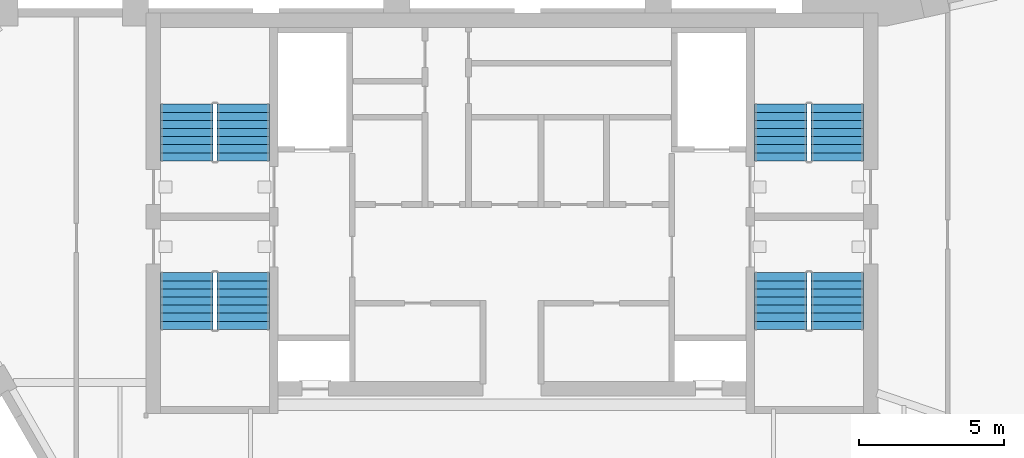
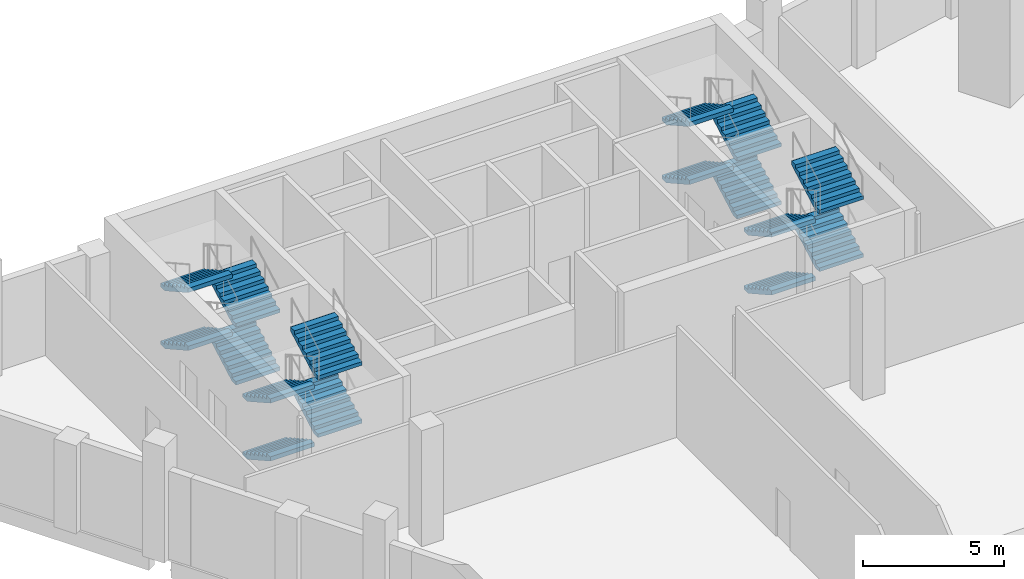
# One storey, part 7 of 9: 16 stair flights, 4 elements without a shape of their own.
"""IFC4 building model written with IfcOpenShell, lengths in metres."""

from ifc_helpers import new_model, si_unit, direction, frame, origin, place, context, subcontext, project, spatial, faceted_brep, source, transform, mapped, material, type_object, element, aggregate, save


model = new_model("IFC4")

# Units and contexts
model_context = context("Model", 3, precision=1e-05, world=origin(), true_north=direction((0.0, 1.0)))
body_context = subcontext(model_context, "Body", "Model", "MODEL_VIEW")
ifc_project = project(units=[si_unit("LENGTHUNIT", "METRE"), si_unit("AREAUNIT", "SQUARE_METRE"), si_unit("VOLUMEUNIT", "CUBIC_METRE"), si_unit("PLANEANGLEUNIT", "RADIAN"), si_unit("MASSUNIT", "GRAM", prefix="KILO")], contexts=[model_context])

# Site, building, storey
site_placement = place(None, origin())
site = spatial("IfcSite", under=ifc_project, at=site_placement, CompositionType="ELEMENT")
building_placement = place(site_placement, origin())
building = spatial("IfcBuilding", under=site, at=building_placement, Name="Calabash Gate Tower", CompositionType="ELEMENT")
storey_placement = place(building_placement, frame((0.0, 0.0, 320.5)))
storey = spatial("IfcBuildingStorey", under=building, at=storey_placement, Name="L75", CompositionType="ELEMENT", Elevation=320.5)

# Stair, stair flights
ifc_material_1 = material(Name="Concrete C40/50", Category="concrete")
stair_type = type_object("IfcStairType", Name="Exit stair 32 risers of 156.2 mm", PredefinedType="HALF_TURN_STAIR", material=ifc_material_1)
stair_1_placement = place(storey_placement, origin())
stair_1 = element("IfcStair", 1, at=stair_1_placement, inside=storey, type_object=stair_type, Name="L75 Exit stair ST1", PredefinedType="HALF_TURN_STAIR")
ifc_material_2 = material(Name="Concrete C40/50", Category="concrete")
stair_flight_type = type_object("IfcStairFlightType", Name="Exit stair flight SFL", PredefinedType="STRAIGHT", material=ifc_material_2)
shared_shape = source(origin(), body_context, "Body", "Brep", [
    faceted_brep([(-0.0009765625, -0.89990234375, 0.0), (0.306884765625, -0.89990234375, 0.0), (1.9541015625, -0.89990234375, 0.921875), (-0.0009765625, 0.89990234375, 0.0), (1.9541015625, 0.89990234375, 0.921875), (0.306884765625, 0.89990234375, 0.0), (1.9541015625, -0.89990234375, 1.105712890625), (1.952880859375, -0.89990234375, 1.105712890625), (1.952880859375, 0.89990234375, 1.105712890625), (1.9541015625, 0.89990234375, 1.105712890625), (1.952880859375, -0.89990234375, 1.09375), (1.952880859375, 0.89990234375, 1.09375), (1.674072265625, -0.89990234375, 1.09375), (1.674072265625, 0.89990234375, 1.09375), (1.674072265625, -0.89990234375, 0.9375), (1.674072265625, 0.89990234375, 0.9375), (1.39501953125, -0.89990234375, 0.9375), (1.39501953125, 0.89990234375, 0.9375), (1.39501953125, -0.89990234375, 0.78125), (1.39501953125, 0.89990234375, 0.78125), (1.115966796875, -0.89990234375, 0.78125), (1.115966796875, -0.89990234375, 0.625), (1.115966796875, 0.89990234375, 0.625), (1.115966796875, 0.89990234375, 0.78125), (0.8369140625, -0.89990234375, 0.625), (0.8369140625, -0.89990234375, 0.46875), (0.8369140625, 0.89990234375, 0.46875), (0.8369140625, 0.89990234375, 0.625), (0.55810546875, -0.89990234375, 0.46875), (0.55810546875, -0.89990234375, 0.3125), (0.55810546875, 0.89990234375, 0.3125), (0.55810546875, 0.89990234375, 0.46875), (0.279052734375, -0.89990234375, 0.3125), (0.279052734375, -0.89990234375, 0.15625), (0.279052734375, 0.89990234375, 0.15625), (0.279052734375, 0.89990234375, 0.3125), (-0.0009765625, -0.89990234375, 0.15625), (-0.0009765625, 0.89990234375, 0.15625), (0.306884765625, -0.360107421875, 0.0), (1.9541015625, -0.360107421875, 0.921875), (0.306884765625, -0.27001953125, 0.0), (1.9541015625, -0.27001953125, 0.921875), (0.306884765625, -0.179931640625, 0.0), (1.9541015625, -0.179931640625, 0.921875), (0.306884765625, -0.090087890625, 0.0), (1.9541015625, -0.090087890625, 0.921875), (0.306884765625, 0.0, 0.0), (1.9541015625, 0.0, 0.921875), (0.306884765625, 0.090087890625, 0.0), (1.9541015625, 0.090087890625, 0.921875), (0.306884765625, 0.179931640625, 0.0), (1.9541015625, 0.179931640625, 0.921875), (0.306884765625, 0.27001953125, 0.0), (1.9541015625, 0.27001953125, 0.921875), (0.306884765625, 0.360107421875, 0.0), (1.9541015625, 0.360107421875, 0.921875), (1.9541015625, -0.360107421875, 1.105712890625), (1.9541015625, -0.27001953125, 1.105712890625), (1.9541015625, -0.179931640625, 1.105712890625), (1.9541015625, -0.090087890625, 1.105712890625), (1.9541015625, 0.0, 1.105712890625), (1.9541015625, 0.090087890625, 1.105712890625), (1.9541015625, 0.179931640625, 1.105712890625), (1.9541015625, 0.27001953125, 1.105712890625), (1.9541015625, 0.360107421875, 1.105712890625), (1.952880859375, -0.360107421875, 1.105712890625), (1.952880859375, -0.27001953125, 1.105712890625), (1.952880859375, -0.179931640625, 1.105712890625), (1.952880859375, -0.090087890625, 1.105712890625), (1.952880859375, 0.0, 1.105712890625), (1.952880859375, 0.090087890625, 1.105712890625), (1.952880859375, 0.179931640625, 1.105712890625), (1.952880859375, 0.27001953125, 1.105712890625), (1.952880859375, 0.360107421875, 1.105712890625), (1.952880859375, -0.360107421875, 1.09375), (1.952880859375, -0.27001953125, 1.09375), (1.952880859375, -0.179931640625, 1.09375), (1.952880859375, -0.090087890625, 1.09375), (1.952880859375, 0.0, 1.09375), (1.952880859375, 0.090087890625, 1.09375), (1.952880859375, 0.179931640625, 1.09375), (1.952880859375, 0.27001953125, 1.09375), (1.952880859375, 0.360107421875, 1.09375), (1.674072265625, -0.360107421875, 1.09375), (1.674072265625, -0.27001953125, 1.09375), (1.674072265625, -0.179931640625, 1.09375), (1.674072265625, -0.090087890625, 1.09375), (1.674072265625, 0.0, 1.09375), (1.674072265625, 0.090087890625, 1.09375), (1.674072265625, 0.179931640625, 1.09375), (1.674072265625, 0.27001953125, 1.09375), (1.674072265625, 0.360107421875, 1.09375), (1.674072265625, -0.360107421875, 0.9375), (1.674072265625, -0.27001953125, 0.9375), (1.674072265625, -0.179931640625, 0.9375), (1.674072265625, -0.090087890625, 0.9375), (1.674072265625, 0.0, 0.9375), (1.674072265625, 0.090087890625, 0.9375), (1.674072265625, 0.179931640625, 0.9375), (1.674072265625, 0.27001953125, 0.9375), (1.674072265625, 0.360107421875, 0.9375), (1.39501953125, -0.360107421875, 0.9375), (1.39501953125, -0.27001953125, 0.9375), (1.39501953125, -0.179931640625, 0.9375), (1.39501953125, -0.090087890625, 0.9375), (1.39501953125, 0.0, 0.9375), (1.39501953125, 0.090087890625, 0.9375), (1.39501953125, 0.179931640625, 0.9375), (1.39501953125, 0.27001953125, 0.9375), (1.39501953125, 0.360107421875, 0.9375), (1.39501953125, -0.360107421875, 0.78125), (1.39501953125, -0.27001953125, 0.78125), (1.39501953125, -0.179931640625, 0.78125), (1.39501953125, -0.090087890625, 0.78125), (1.39501953125, 0.0, 0.78125), (1.39501953125, 0.090087890625, 0.78125), (1.39501953125, 0.179931640625, 0.78125), (1.39501953125, 0.27001953125, 0.78125), (1.39501953125, 0.360107421875, 0.78125), (1.115966796875, -0.360107421875, 0.78125), (1.115966796875, -0.27001953125, 0.78125), (1.115966796875, -0.179931640625, 0.78125), (1.115966796875, -0.090087890625, 0.78125), (1.115966796875, 0.0, 0.78125), (1.115966796875, 0.090087890625, 0.78125), (1.115966796875, 0.179931640625, 0.78125), (1.115966796875, 0.27001953125, 0.78125), (1.115966796875, 0.360107421875, 0.78125), (1.115966796875, -0.360107421875, 0.625), (1.115966796875, -0.27001953125, 0.625), (1.115966796875, -0.179931640625, 0.625), (1.115966796875, -0.090087890625, 0.625), (1.115966796875, 0.0, 0.625), (1.115966796875, 0.090087890625, 0.625), (1.115966796875, 0.179931640625, 0.625), (1.115966796875, 0.27001953125, 0.625), (1.115966796875, 0.360107421875, 0.625), (0.8369140625, -0.360107421875, 0.625), (0.8369140625, -0.27001953125, 0.625), (0.8369140625, -0.179931640625, 0.625), (0.8369140625, -0.090087890625, 0.625), (0.8369140625, 0.0, 0.625), (0.8369140625, 0.090087890625, 0.625), (0.8369140625, 0.179931640625, 0.625), (0.8369140625, 0.27001953125, 0.625), (0.8369140625, 0.360107421875, 0.625), (0.8369140625, -0.360107421875, 0.46875), (0.8369140625, -0.27001953125, 0.46875), (0.8369140625, -0.179931640625, 0.46875), (0.8369140625, -0.090087890625, 0.46875), (0.8369140625, 0.0, 0.46875), (0.8369140625, 0.090087890625, 0.46875), (0.8369140625, 0.179931640625, 0.46875), (0.8369140625, 0.27001953125, 0.46875), (0.8369140625, 0.360107421875, 0.46875), (0.55810546875, -0.360107421875, 0.46875), (0.55810546875, -0.27001953125, 0.46875), (0.55810546875, -0.179931640625, 0.46875), (0.55810546875, -0.090087890625, 0.46875), (0.55810546875, 0.0, 0.46875), (0.55810546875, 0.090087890625, 0.46875), (0.55810546875, 0.179931640625, 0.46875), (0.55810546875, 0.27001953125, 0.46875), (0.55810546875, 0.360107421875, 0.46875), (0.55810546875, -0.360107421875, 0.3125), (0.55810546875, -0.27001953125, 0.3125), (0.55810546875, -0.179931640625, 0.3125), (0.55810546875, -0.090087890625, 0.3125), (0.55810546875, 0.0, 0.3125), (0.55810546875, 0.090087890625, 0.3125), (0.55810546875, 0.179931640625, 0.3125), (0.55810546875, 0.27001953125, 0.3125), (0.55810546875, 0.360107421875, 0.3125), (0.279052734375, -0.360107421875, 0.3125), (0.279052734375, -0.27001953125, 0.3125), (0.279052734375, -0.179931640625, 0.3125), (0.279052734375, -0.090087890625, 0.3125), (0.279052734375, 0.0, 0.3125), (0.279052734375, 0.090087890625, 0.3125), (0.279052734375, 0.179931640625, 0.3125), (0.279052734375, 0.27001953125, 0.3125), (0.279052734375, 0.360107421875, 0.3125), (0.279052734375, -0.360107421875, 0.15625), (0.279052734375, -0.27001953125, 0.15625), (0.279052734375, -0.179931640625, 0.15625), (0.279052734375, -0.090087890625, 0.15625), (0.279052734375, 0.0, 0.15625), (0.279052734375, 0.090087890625, 0.15625), (0.279052734375, 0.179931640625, 0.15625), (0.279052734375, 0.27001953125, 0.15625), (0.279052734375, 0.360107421875, 0.15625), (-0.0009765625, -0.360107421875, 0.15625), (-0.0009765625, -0.27001953125, 0.15625), (-0.0009765625, -0.179931640625, 0.15625), (-0.0009765625, -0.090087890625, 0.15625), (-0.0009765625, 0.0, 0.15625), (-0.0009765625, 0.090087890625, 0.15625), (-0.0009765625, 0.179931640625, 0.15625), (-0.0009765625, 0.27001953125, 0.15625), (-0.0009765625, 0.360107421875, 0.15625), (-0.0009765625, -0.360107421875, 0.0), (-0.0009765625, -0.27001953125, 0.0), (-0.0009765625, -0.179931640625, 0.0), (-0.0009765625, -0.090087890625, 0.0), (-0.0009765625, 0.0, 0.0), (-0.0009765625, 0.090087890625, 0.0), (-0.0009765625, 0.179931640625, 0.0), (-0.0009765625, 0.27001953125, 0.0), (-0.0009765625, 0.360107421875, 0.0)], [[[0, 1, 2]], [[3, 4, 5]], [[2, 6, 7]], [[4, 8, 9]], [[2, 7, 10]], [[4, 11, 8]], [[2, 10, 12]], [[4, 13, 11]], [[2, 12, 14]], [[4, 15, 13]], [[2, 14, 16]], [[4, 17, 15]], [[2, 16, 18]], [[4, 19, 17]], [[18, 20, 21]], [[19, 22, 23]], [[2, 18, 21]], [[4, 22, 19]], [[21, 24, 25]], [[22, 26, 27]], [[2, 21, 25]], [[4, 26, 22]], [[25, 28, 29]], [[26, 30, 31]], [[2, 25, 29]], [[4, 30, 26]], [[29, 32, 33]], [[30, 34, 35]], [[2, 29, 33]], [[4, 34, 30]], [[0, 2, 33]], [[3, 34, 4]], [[33, 36, 0]], [[34, 3, 37]], [[1, 38, 2]], [[38, 39, 2]], [[38, 40, 39]], [[40, 41, 39]], [[40, 42, 41]], [[42, 43, 41]], [[42, 44, 43]], [[44, 45, 43]], [[44, 46, 45]], [[46, 47, 45]], [[46, 48, 49]], [[46, 49, 47]], [[48, 50, 51]], [[48, 51, 49]], [[50, 52, 53]], [[50, 53, 51]], [[52, 54, 55]], [[52, 55, 53]], [[54, 5, 4]], [[54, 4, 55]], [[2, 39, 6]], [[39, 56, 6]], [[39, 41, 56]], [[41, 57, 56]], [[41, 43, 57]], [[43, 58, 57]], [[43, 45, 58]], [[45, 59, 58]], [[45, 47, 59]], [[47, 60, 59]], [[47, 49, 61]], [[47, 61, 60]], [[49, 51, 62]], [[49, 62, 61]], [[51, 53, 63]], [[51, 63, 62]], [[53, 55, 64]], [[53, 64, 63]], [[55, 4, 9]], [[55, 9, 64]], [[6, 56, 7]], [[56, 65, 7]], [[56, 57, 65]], [[57, 66, 65]], [[57, 58, 66]], [[58, 67, 66]], [[58, 59, 67]], [[59, 68, 67]], [[59, 60, 68]], [[60, 69, 68]], [[60, 61, 70]], [[60, 70, 69]], [[61, 62, 71]], [[61, 71, 70]], [[62, 63, 72]], [[62, 72, 71]], [[63, 64, 73]], [[63, 73, 72]], [[64, 9, 8]], [[64, 8, 73]], [[7, 65, 10]], [[65, 74, 10]], [[65, 66, 74]], [[66, 75, 74]], [[66, 67, 75]], [[67, 76, 75]], [[67, 68, 76]], [[68, 77, 76]], [[68, 69, 77]], [[69, 78, 77]], [[69, 70, 79]], [[69, 79, 78]], [[70, 71, 80]], [[70, 80, 79]], [[71, 72, 81]], [[71, 81, 80]], [[72, 73, 82]], [[72, 82, 81]], [[73, 8, 11]], [[73, 11, 82]], [[10, 74, 12]], [[74, 83, 12]], [[74, 75, 83]], [[75, 84, 83]], [[75, 76, 84]], [[76, 85, 84]], [[76, 77, 85]], [[77, 86, 85]], [[77, 78, 86]], [[78, 87, 86]], [[78, 79, 88]], [[78, 88, 87]], [[79, 80, 89]], [[79, 89, 88]], [[80, 81, 90]], [[80, 90, 89]], [[81, 82, 91]], [[81, 91, 90]], [[82, 11, 13]], [[82, 13, 91]], [[12, 83, 14]], [[83, 92, 14]], [[83, 84, 92]], [[84, 93, 92]], [[84, 85, 93]], [[85, 94, 93]], [[85, 86, 94]], [[86, 95, 94]], [[86, 87, 95]], [[87, 96, 95]], [[87, 88, 97]], [[87, 97, 96]], [[88, 89, 98]], [[88, 98, 97]], [[89, 90, 99]], [[89, 99, 98]], [[90, 91, 100]], [[90, 100, 99]], [[91, 13, 15]], [[91, 15, 100]], [[14, 92, 16]], [[92, 101, 16]], [[92, 93, 101]], [[93, 102, 101]], [[93, 94, 102]], [[94, 103, 102]], [[94, 95, 103]], [[95, 104, 103]], [[95, 96, 104]], [[96, 105, 104]], [[96, 97, 106]], [[96, 106, 105]], [[97, 98, 107]], [[97, 107, 106]], [[98, 99, 108]], [[98, 108, 107]], [[99, 100, 109]], [[99, 109, 108]], [[100, 15, 17]], [[100, 17, 109]], [[16, 101, 18]], [[101, 110, 18]], [[101, 102, 110]], [[102, 111, 110]], [[102, 103, 111]], [[103, 112, 111]], [[103, 104, 112]], [[104, 113, 112]], [[104, 105, 113]], [[105, 114, 113]], [[105, 106, 115]], [[105, 115, 114]], [[106, 107, 116]], [[106, 116, 115]], [[107, 108, 117]], [[107, 117, 116]], [[108, 109, 118]], [[108, 118, 117]], [[109, 17, 19]], [[109, 19, 118]], [[18, 110, 20]], [[110, 119, 20]], [[110, 111, 119]], [[111, 120, 119]], [[111, 112, 120]], [[112, 121, 120]], [[112, 113, 121]], [[113, 122, 121]], [[113, 114, 122]], [[114, 123, 122]], [[114, 115, 124]], [[114, 124, 123]], [[115, 116, 125]], [[115, 125, 124]], [[116, 117, 126]], [[116, 126, 125]], [[117, 118, 127]], [[117, 127, 126]], [[118, 19, 23]], [[118, 23, 127]], [[20, 119, 21]], [[119, 128, 21]], [[119, 120, 128]], [[120, 129, 128]], [[120, 121, 129]], [[121, 130, 129]], [[121, 122, 130]], [[122, 131, 130]], [[122, 123, 131]], [[123, 132, 131]], [[123, 124, 133]], [[123, 133, 132]], [[124, 125, 134]], [[124, 134, 133]], [[125, 126, 135]], [[125, 135, 134]], [[126, 127, 136]], [[126, 136, 135]], [[127, 23, 22]], [[127, 22, 136]], [[21, 128, 24]], [[128, 137, 24]], [[128, 129, 137]], [[129, 138, 137]], [[129, 130, 138]], [[130, 139, 138]], [[130, 131, 139]], [[131, 140, 139]], [[131, 132, 140]], [[132, 141, 140]], [[132, 133, 142]], [[132, 142, 141]], [[133, 134, 143]], [[133, 143, 142]], [[134, 135, 144]], [[134, 144, 143]], [[135, 136, 145]], [[135, 145, 144]], [[136, 22, 27]], [[136, 27, 145]], [[24, 137, 25]], [[137, 146, 25]], [[137, 138, 146]], [[138, 147, 146]], [[138, 139, 147]], [[139, 148, 147]], [[139, 140, 148]], [[140, 149, 148]], [[140, 141, 149]], [[141, 150, 149]], [[141, 142, 151]], [[141, 151, 150]], [[142, 143, 152]], [[142, 152, 151]], [[143, 144, 153]], [[143, 153, 152]], [[144, 145, 154]], [[144, 154, 153]], [[145, 27, 26]], [[145, 26, 154]], [[25, 146, 28]], [[146, 155, 28]], [[146, 147, 155]], [[147, 156, 155]], [[147, 148, 156]], [[148, 157, 156]], [[148, 149, 157]], [[149, 158, 157]], [[149, 150, 158]], [[150, 159, 158]], [[150, 151, 160]], [[150, 160, 159]], [[151, 152, 161]], [[151, 161, 160]], [[152, 153, 162]], [[152, 162, 161]], [[153, 154, 163]], [[153, 163, 162]], [[154, 26, 31]], [[154, 31, 163]], [[28, 155, 29]], [[155, 164, 29]], [[155, 156, 164]], [[156, 165, 164]], [[156, 157, 165]], [[157, 166, 165]], [[157, 158, 166]], [[158, 167, 166]], [[158, 159, 167]], [[159, 168, 167]], [[159, 160, 169]], [[159, 169, 168]], [[160, 161, 170]], [[160, 170, 169]], [[161, 162, 171]], [[161, 171, 170]], [[162, 163, 172]], [[162, 172, 171]], [[163, 31, 30]], [[163, 30, 172]], [[29, 164, 32]], [[164, 173, 32]], [[164, 165, 173]], [[165, 174, 173]], [[165, 166, 174]], [[166, 175, 174]], [[166, 167, 175]], [[167, 176, 175]], [[167, 168, 176]], [[168, 177, 176]], [[168, 169, 178]], [[168, 178, 177]], [[169, 170, 179]], [[169, 179, 178]], [[170, 171, 180]], [[170, 180, 179]], [[171, 172, 181]], [[171, 181, 180]], [[172, 30, 35]], [[172, 35, 181]], [[32, 173, 33]], [[173, 182, 33]], [[173, 174, 182]], [[174, 183, 182]], [[174, 175, 183]], [[175, 184, 183]], [[175, 176, 184]], [[176, 185, 184]], [[176, 177, 185]], [[177, 186, 185]], [[177, 178, 187]], [[177, 187, 186]], [[178, 179, 188]], [[178, 188, 187]], [[179, 180, 189]], [[179, 189, 188]], [[180, 181, 190]], [[180, 190, 189]], [[181, 35, 34]], [[181, 34, 190]], [[33, 182, 36]], [[182, 191, 36]], [[182, 183, 191]], [[183, 192, 191]], [[183, 184, 192]], [[184, 193, 192]], [[184, 185, 193]], [[185, 194, 193]], [[185, 186, 194]], [[186, 195, 194]], [[186, 187, 196]], [[186, 196, 195]], [[187, 188, 197]], [[187, 197, 196]], [[188, 189, 198]], [[188, 198, 197]], [[189, 190, 199]], [[189, 199, 198]], [[190, 34, 37]], [[190, 37, 199]], [[36, 191, 0]], [[191, 200, 0]], [[191, 192, 200]], [[192, 201, 200]], [[192, 193, 201]], [[193, 202, 201]], [[193, 194, 202]], [[194, 203, 202]], [[194, 195, 203]], [[195, 204, 203]], [[195, 196, 205]], [[195, 205, 204]], [[196, 197, 206]], [[196, 206, 205]], [[197, 198, 207]], [[197, 207, 206]], [[198, 199, 208]], [[198, 208, 207]], [[199, 37, 3]], [[199, 3, 208]], [[0, 200, 1]], [[200, 38, 1]], [[200, 201, 38]], [[201, 40, 38]], [[201, 202, 40]], [[202, 42, 40]], [[202, 203, 42]], [[203, 44, 42]], [[203, 204, 44]], [[204, 46, 44]], [[204, 205, 48]], [[204, 48, 46]], [[205, 206, 50]], [[205, 50, 48]], [[206, 207, 52]], [[206, 52, 50]], [[207, 208, 54]], [[207, 54, 52]], [[208, 3, 5]], [[208, 5, 54]]]),
])
stair_flight_1_placement = place(storey_placement, frame((-9.25, 13.95263671875, 0.0), z_axis=(0.0, 0.0, 1.0), x_axis=(0.0, 1.0, 0.0)))
stair_flight_1 = element("IfcStairFlight", 2, at=stair_flight_1_placement, type_object=stair_flight_type, Name="ST1 flight 1", NumberOfRisers=8, NumberOfTreads=7, PredefinedType="STRAIGHT", RiserHeight=0.15625, TreadLength=0.279, context=body_context, shape_type="MappedRepresentation", body=[
    mapped(shared_shape, transform((0.0, 0.0, 0.0), scale=1.0)),
])
stair_flight_2_placement = place(storey_placement, frame((-11.199951171875, 15.905517578125, 1.25), z_axis=(0.0, 0.0, 1.0), x_axis=(0.0, -1.0, 0.0)))
stair_flight_2 = element("IfcStairFlight", 3, at=stair_flight_2_placement, type_object=stair_flight_type, Name="ST1 flight 2", NumberOfRisers=8, NumberOfTreads=7, PredefinedType="STRAIGHT", RiserHeight=0.15625, TreadLength=0.279, context=body_context, shape_type="MappedRepresentation", body=[
    mapped(shared_shape, transform((0.0, 0.0, 0.0), scale=1.0)),
])
stair_flight_3_placement = place(storey_placement, frame((-9.25, 13.95263671875, 2.5), z_axis=(0.0, 0.0, 1.0), x_axis=(0.0, 1.0, 0.0)))
stair_flight_3 = element("IfcStairFlight", 4, at=stair_flight_3_placement, type_object=stair_flight_type, Name="ST1 flight 3", NumberOfRisers=8, NumberOfTreads=7, PredefinedType="STRAIGHT", RiserHeight=0.15625, TreadLength=0.279, context=body_context, shape_type="MappedRepresentation", body=[
    mapped(shared_shape, transform((0.0, 0.0, 0.0), scale=1.0)),
])
stair_flight_4_placement = place(storey_placement, frame((-11.199951171875, 15.905517578125, 3.75), z_axis=(0.0, 0.0, 1.0), x_axis=(0.0, -1.0, 0.0)))
stair_flight_4 = element("IfcStairFlight", 5, at=stair_flight_4_placement, type_object=stair_flight_type, Name="ST1 flight 4", NumberOfRisers=8, NumberOfTreads=7, PredefinedType="STRAIGHT", RiserHeight=0.15625, TreadLength=0.279, context=body_context, shape_type="MappedRepresentation", body=[
    mapped(shared_shape, transform((0.0, 0.0, 0.0), scale=1.0)),
])
aggregate(stair_1, [stair_flight_1, stair_flight_2, stair_flight_3, stair_flight_4])

stair_2_placement = place(storey_placement, origin())
stair_2 = element("IfcStair", 6, at=stair_2_placement, inside=storey, type_object=stair_type, Name="L75 Exit stair ST2", PredefinedType="HALF_TURN_STAIR")
stair_flight_5_placement = place(storey_placement, frame((-11.199951171875, 10.1025390625, 0.0), z_axis=(0.0, 0.0, 1.0), x_axis=(0.0, -1.0, 0.0)))
stair_flight_5 = element("IfcStairFlight", 7, at=stair_flight_5_placement, type_object=stair_flight_type, Name="ST2 flight 1", NumberOfRisers=8, NumberOfTreads=7, PredefinedType="STRAIGHT", RiserHeight=0.15625, TreadLength=0.279, context=body_context, shape_type="MappedRepresentation", body=[
    mapped(shared_shape, transform((0.0, 0.0, 0.0), scale=1.0)),
])
stair_flight_6_placement = place(storey_placement, frame((-9.25, 8.149658203125, 1.25), z_axis=(0.0, 0.0, 1.0), x_axis=(0.0, 1.0, 0.0)))
stair_flight_6 = element("IfcStairFlight", 8, at=stair_flight_6_placement, type_object=stair_flight_type, Name="ST2 flight 2", NumberOfRisers=8, NumberOfTreads=7, PredefinedType="STRAIGHT", RiserHeight=0.15625, TreadLength=0.279, context=body_context, shape_type="MappedRepresentation", body=[
    mapped(shared_shape, transform((0.0, 0.0, 0.0), scale=1.0)),
])
stair_flight_7_placement = place(storey_placement, frame((-11.199951171875, 10.1025390625, 2.5), z_axis=(0.0, 0.0, 1.0), x_axis=(0.0, -1.0, 0.0)))
stair_flight_7 = element("IfcStairFlight", 9, at=stair_flight_7_placement, type_object=stair_flight_type, Name="ST2 flight 3", NumberOfRisers=8, NumberOfTreads=7, PredefinedType="STRAIGHT", RiserHeight=0.15625, TreadLength=0.279, context=body_context, shape_type="MappedRepresentation", body=[
    mapped(shared_shape, transform((0.0, 0.0, 0.0), scale=1.0)),
])
stair_flight_8_placement = place(storey_placement, frame((-9.25, 8.149658203125, 3.75), z_axis=(0.0, 0.0, 1.0), x_axis=(0.0, 1.0, 0.0)))
stair_flight_8 = element("IfcStairFlight", 10, at=stair_flight_8_placement, type_object=stair_flight_type, Name="ST2 flight 4", NumberOfRisers=8, NumberOfTreads=7, PredefinedType="STRAIGHT", RiserHeight=0.15625, TreadLength=0.279, context=body_context, shape_type="MappedRepresentation", body=[
    mapped(shared_shape, transform((0.0, 0.0, 0.0), scale=1.0)),
])
aggregate(stair_2, [stair_flight_5, stair_flight_6, stair_flight_7, stair_flight_8])

stair_3_placement = place(storey_placement, origin())
stair_3 = element("IfcStair", 11, at=stair_3_placement, inside=storey, type_object=stair_type, Name="L75 Exit stair ST3", PredefinedType="HALF_TURN_STAIR")
stair_flight_9_placement = place(storey_placement, frame((11.199951171875, 13.95263671875, 0.0), z_axis=(0.0, 0.0, 1.0), x_axis=(0.0, 1.0, 0.0)))
stair_flight_9 = element("IfcStairFlight", 12, at=stair_flight_9_placement, type_object=stair_flight_type, Name="ST3 flight 1", NumberOfRisers=8, NumberOfTreads=7, PredefinedType="STRAIGHT", RiserHeight=0.15625, TreadLength=0.279, context=body_context, shape_type="MappedRepresentation", body=[
    mapped(shared_shape, transform((0.0, 0.0, 0.0), scale=1.0)),
])
stair_flight_10_placement = place(storey_placement, frame((9.25, 15.905517578125, 1.25), z_axis=(0.0, 0.0, 1.0), x_axis=(0.0, -1.0, 0.0)))
stair_flight_10 = element("IfcStairFlight", 13, at=stair_flight_10_placement, type_object=stair_flight_type, Name="ST3 flight 2", NumberOfRisers=8, NumberOfTreads=7, PredefinedType="STRAIGHT", RiserHeight=0.15625, TreadLength=0.279, context=body_context, shape_type="MappedRepresentation", body=[
    mapped(shared_shape, transform((0.0, 0.0, 0.0), scale=1.0)),
])
stair_flight_11_placement = place(storey_placement, frame((11.199951171875, 13.95263671875, 2.5), z_axis=(0.0, 0.0, 1.0), x_axis=(0.0, 1.0, 0.0)))
stair_flight_11 = element("IfcStairFlight", 14, at=stair_flight_11_placement, type_object=stair_flight_type, Name="ST3 flight 3", NumberOfRisers=8, NumberOfTreads=7, PredefinedType="STRAIGHT", RiserHeight=0.15625, TreadLength=0.279, context=body_context, shape_type="MappedRepresentation", body=[
    mapped(shared_shape, transform((0.0, 0.0, 0.0), scale=1.0)),
])
stair_flight_12_placement = place(storey_placement, frame((9.25, 15.905517578125, 3.75), z_axis=(0.0, 0.0, 1.0), x_axis=(0.0, -1.0, 0.0)))
stair_flight_12 = element("IfcStairFlight", 15, at=stair_flight_12_placement, type_object=stair_flight_type, Name="ST3 flight 4", NumberOfRisers=8, NumberOfTreads=7, PredefinedType="STRAIGHT", RiserHeight=0.15625, TreadLength=0.279, context=body_context, shape_type="MappedRepresentation", body=[
    mapped(shared_shape, transform((0.0, 0.0, 0.0), scale=1.0)),
])
aggregate(stair_3, [stair_flight_9, stair_flight_10, stair_flight_11, stair_flight_12])

stair_4_placement = place(storey_placement, origin())
stair_4 = element("IfcStair", 16, at=stair_4_placement, inside=storey, type_object=stair_type, Name="L75 Exit stair ST4", PredefinedType="HALF_TURN_STAIR")
stair_flight_13_placement = place(storey_placement, frame((9.25, 10.1025390625, 0.0), z_axis=(0.0, 0.0, 1.0), x_axis=(0.0, -1.0, 0.0)))
stair_flight_13 = element("IfcStairFlight", 17, at=stair_flight_13_placement, type_object=stair_flight_type, Name="ST4 flight 1", NumberOfRisers=8, NumberOfTreads=7, PredefinedType="STRAIGHT", RiserHeight=0.15625, TreadLength=0.279, context=body_context, shape_type="MappedRepresentation", body=[
    mapped(shared_shape, transform((0.0, 0.0, 0.0), scale=1.0)),
])
stair_flight_14_placement = place(storey_placement, frame((11.199951171875, 8.149658203125, 1.25), z_axis=(0.0, 0.0, 1.0), x_axis=(0.0, 1.0, 0.0)))
stair_flight_14 = element("IfcStairFlight", 18, at=stair_flight_14_placement, type_object=stair_flight_type, Name="ST4 flight 2", NumberOfRisers=8, NumberOfTreads=7, PredefinedType="STRAIGHT", RiserHeight=0.15625, TreadLength=0.279, context=body_context, shape_type="MappedRepresentation", body=[
    mapped(shared_shape, transform((0.0, 0.0, 0.0), scale=1.0)),
])
stair_flight_15_placement = place(storey_placement, frame((9.25, 10.1025390625, 2.5), z_axis=(0.0, 0.0, 1.0), x_axis=(0.0, -1.0, 0.0)))
stair_flight_15 = element("IfcStairFlight", 19, at=stair_flight_15_placement, type_object=stair_flight_type, Name="ST4 flight 3", NumberOfRisers=8, NumberOfTreads=7, PredefinedType="STRAIGHT", RiserHeight=0.15625, TreadLength=0.279, context=body_context, shape_type="MappedRepresentation", body=[
    mapped(shared_shape, transform((0.0, 0.0, 0.0), scale=1.0)),
])
stair_flight_16_placement = place(storey_placement, frame((11.199951171875, 8.149658203125, 3.75), z_axis=(0.0, 0.0, 1.0), x_axis=(0.0, 1.0, 0.0)))
stair_flight_16 = element("IfcStairFlight", 20, at=stair_flight_16_placement, type_object=stair_flight_type, Name="ST4 flight 4", NumberOfRisers=8, NumberOfTreads=7, PredefinedType="STRAIGHT", RiserHeight=0.15625, TreadLength=0.279, context=body_context, shape_type="MappedRepresentation", body=[
    mapped(shared_shape, transform((0.0, 0.0, 0.0), scale=1.0)),
])
aggregate(stair_4, [stair_flight_13, stair_flight_14, stair_flight_15, stair_flight_16])

save(model, "model.ifc")
